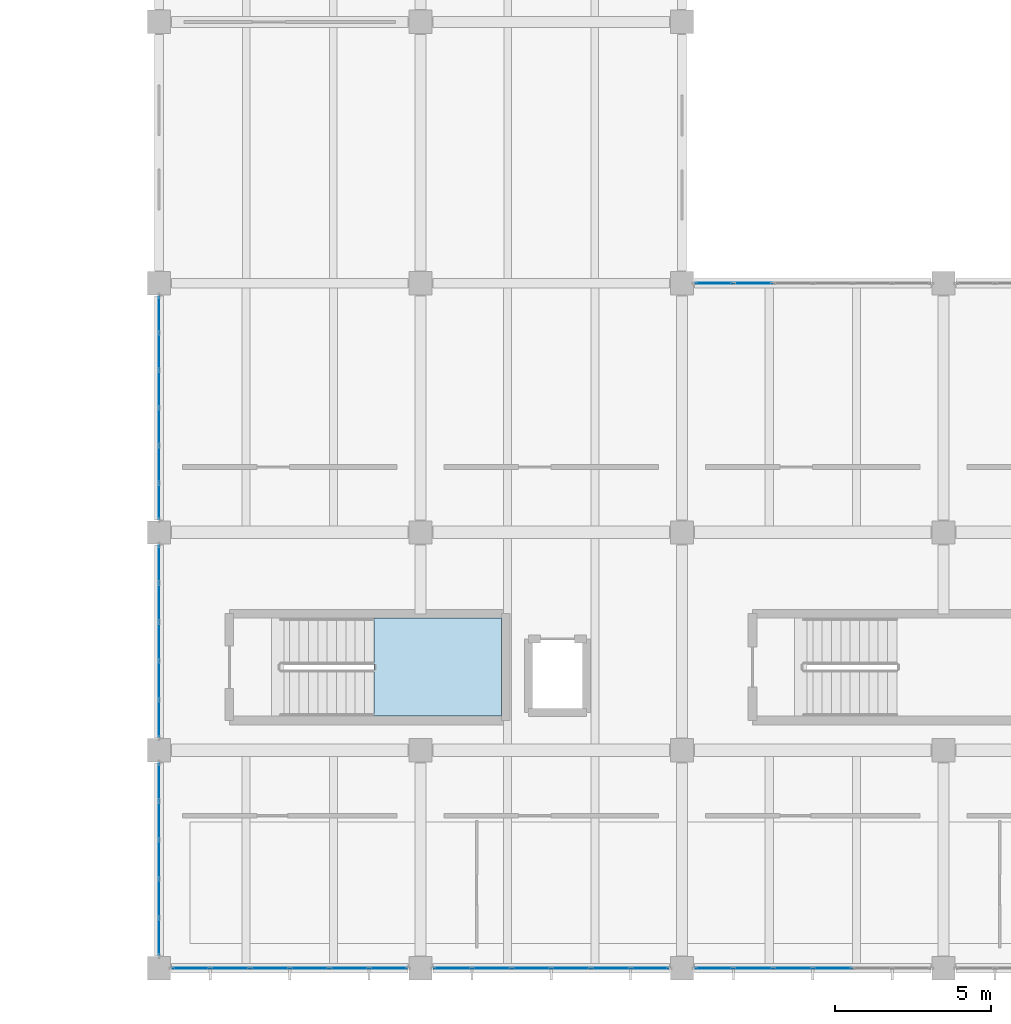
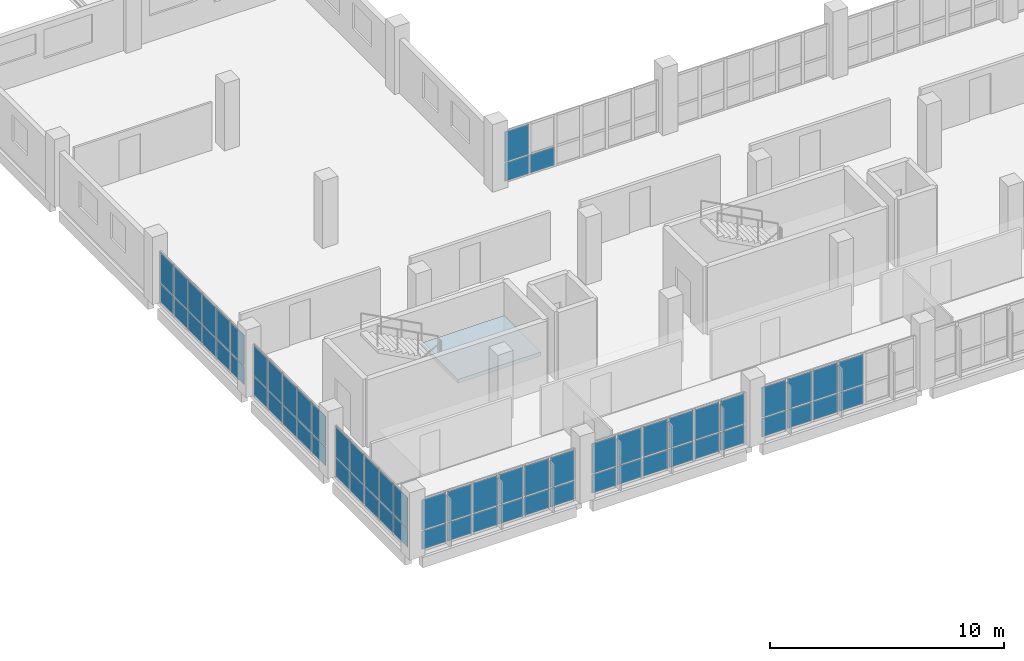
# One storey, part 64 of 95: 67 plates, 1 slab, 8 elements without a shape of their own.
"""IFC4 building model written with IfcOpenShell, lengths in metres."""

from ifc_helpers import new_model, si_unit, direction, frame, origin, origin_2d, place, context, subcontext, project, spatial, polyline, rectangle, outline, extrude, material, layer, layer_set, type_object, element, aggregate, save


model = new_model("IFC4")

# Units and contexts
model_context = context("Model", 3, precision=1e-05, world=origin(), true_north=direction((0.0, 1.0)))
body_context = subcontext(model_context, "Body", "Model", "MODEL_VIEW")
ifc_project = project(units=[si_unit("LENGTHUNIT", "METRE"), si_unit("AREAUNIT", "SQUARE_METRE"), si_unit("VOLUMEUNIT", "CUBIC_METRE"), si_unit("PLANEANGLEUNIT", "RADIAN"), si_unit("MASSUNIT", "GRAM", prefix="KILO"), si_unit("THERMODYNAMICTEMPERATUREUNIT", "KELVIN"), si_unit("POWERUNIT", "WATT")], contexts=[model_context])

# Site, building, storey
site_placement = place(None, origin())
site = spatial("IfcSite", under=ifc_project, at=site_placement, CompositionType="ELEMENT")
building_placement = place(site_placement, origin())
building = spatial("IfcBuilding", under=site, at=building_placement, Name="Mavoryth Pier Ferry Terminal", CompositionType="ELEMENT")
storey_placement = place(building_placement, frame((0.0, 0.0, 9.60009765625)))
storey = spatial("IfcBuildingStorey", under=building, at=storey_placement, Name="L02", CompositionType="ELEMENT", Elevation=9.60009765625)

# Curtain wall, plates
ifc_material_1 = material(Name="Anodised Aluminium and Solar-Control Low-E Glass", Category="aluminium")
ifc_layer_1 = layer(ifc_material_1, 0.239990234375, Name="Anodised Aluminium and Solar-Control Low-E Glass", Category="aluminium")
ifc_layer_set_1 = layer_set([ifc_layer_1], Name="Anodised Aluminium and Solar-Control Low-E Glass - CW-Operations-Mod1200")
curtain_wall_type = type_object("IfcCurtainWallType", Name="CW-Operations-Mod1200", PredefinedType="USERDEFINED", material=ifc_layer_set_1)
curtain_wall_1_placement = place(storey_placement, origin())
curtain_wall_1 = element("IfcCurtainWall", 1, at=curtain_wall_1_placement, inside=storey, type_object=curtain_wall_type, Name="Curtain Wall CW-0222-123", ObjectType="UNITISED CURTAIN WALL", PredefinedType="USERDEFINED")
ifc_material_2 = material(Name="Solar-Control Low-E Laminated Double Glazing", Category="glass")
ifc_layer_2 = layer(ifc_material_2, 0.02392578125, Name="Solar-Control Low-E Laminated Double Glazing", Category="glass")
ifc_layer_set_2 = layer_set([ifc_layer_2], Name="Solar-Control Low-E Laminated Double Glazing - Panel-LowE-DGU-24")
plate_type = type_object("IfcPlateType", Name="Panel-LowE-DGU-24", PredefinedType="CURTAIN_PANEL", material=ifc_layer_set_2)
plate_1_placement = place(storey_placement, frame((43.027587890625, 0.0, 0.059814453125), z_axis=(0.0, 0.0, 1.0), x_axis=(1.0, 0.0, 0.0)))
plate_1 = element("IfcPlate", 2, at=plate_1_placement, type_object=plate_type, Name="CW06 panel 1.1", PredefinedType="CURTAIN_PANEL", context=body_context, shape_type="SweptSolid", body=[
    extrude(rectangle(XDim=1.18505859375, YDim=0.02392578125, at=origin_2d()), origin(), (0.0, 0.0, 1.0), 0.9599609375),
])
plate_2_placement = place(storey_placement, frame((43.027587890625, 0.0, 1.079833984375), z_axis=(0.0, 0.0, 1.0), x_axis=(1.0, 0.0, 0.0)))
plate_2 = element("IfcPlate", 3, at=plate_2_placement, type_object=plate_type, Name="CW06 panel 1.2", PredefinedType="CURTAIN_PANEL", context=body_context, shape_type="SweptSolid", body=[
    extrude(rectangle(XDim=1.18505859375, YDim=0.02392578125, at=origin_2d()), origin(), (0.0, 0.0, 1.0), 1.56494140625),
])
plate_3_placement = place(storey_placement, frame((44.28759765625, 0.0, 0.059814453125), z_axis=(0.0, 0.0, 1.0), x_axis=(1.0, 0.0, 0.0)))
plate_3 = element("IfcPlate", 4, at=plate_3_placement, type_object=plate_type, Name="CW06 panel 2.1", PredefinedType="CURTAIN_PANEL", context=body_context, shape_type="SweptSolid", body=[
    extrude(rectangle(XDim=1.215087890625, YDim=0.02392578125, at=origin_2d()), origin(), (0.0, 0.0, 1.0), 0.9599609375),
])
plate_4_placement = place(storey_placement, frame((44.28759765625, 0.0, 1.079833984375), z_axis=(0.0, 0.0, 1.0), x_axis=(1.0, 0.0, 0.0)))
plate_4 = element("IfcPlate", 5, at=plate_4_placement, type_object=plate_type, Name="CW06 panel 2.2", PredefinedType="CURTAIN_PANEL", context=body_context, shape_type="SweptSolid", body=[
    extrude(rectangle(XDim=1.215087890625, YDim=0.02392578125, at=origin_2d()), origin(), (0.0, 0.0, 1.0), 1.56494140625),
])
plate_5_placement = place(storey_placement, frame((45.5625, 0.0, 0.059814453125), z_axis=(0.0, 0.0, 1.0), x_axis=(1.0, 0.0, 0.0)))
plate_5 = element("IfcPlate", 6, at=plate_5_placement, type_object=plate_type, Name="CW06 panel 3.1", PredefinedType="CURTAIN_PANEL", context=body_context, shape_type="SweptSolid", body=[
    extrude(rectangle(XDim=1.215087890625, YDim=0.02392578125, at=origin_2d()), origin(), (0.0, 0.0, 1.0), 0.9599609375),
])
plate_6_placement = place(storey_placement, frame((45.5625, 0.0, 1.079833984375), z_axis=(0.0, 0.0, 1.0), x_axis=(1.0, 0.0, 0.0)))
plate_6 = element("IfcPlate", 7, at=plate_6_placement, type_object=plate_type, Name="CW06 panel 3.2", PredefinedType="CURTAIN_PANEL", context=body_context, shape_type="SweptSolid", body=[
    extrude(rectangle(XDim=1.215087890625, YDim=0.02392578125, at=origin_2d()), origin(), (0.0, 0.0, 1.0), 1.56494140625),
])
plate_7_placement = place(storey_placement, frame((46.83740234375, 0.0, 0.059814453125), z_axis=(0.0, 0.0, 1.0), x_axis=(1.0, 0.0, 0.0)))
plate_7 = element("IfcPlate", 8, at=plate_7_placement, type_object=plate_type, Name="CW06 panel 4.1", PredefinedType="CURTAIN_PANEL", context=body_context, shape_type="SweptSolid", body=[
    extrude(rectangle(XDim=1.215087890625, YDim=0.02392578125, at=origin_2d()), origin(), (0.0, 0.0, 1.0), 0.9599609375),
])
plate_8_placement = place(storey_placement, frame((46.83740234375, 0.0, 1.079833984375), z_axis=(0.0, 0.0, 1.0), x_axis=(1.0, 0.0, 0.0)))
plate_8 = element("IfcPlate", 9, at=plate_8_placement, type_object=plate_type, Name="CW06 panel 4.2", PredefinedType="CURTAIN_PANEL", context=body_context, shape_type="SweptSolid", body=[
    extrude(rectangle(XDim=1.215087890625, YDim=0.02392578125, at=origin_2d()), origin(), (0.0, 0.0, 1.0), 1.56494140625),
])
plate_9_placement = place(storey_placement, frame((48.112548828125, 0.0, 0.059814453125), z_axis=(0.0, 0.0, 1.0), x_axis=(1.0, 0.0, 0.0)))
plate_9 = element("IfcPlate", 10, at=plate_9_placement, type_object=plate_type, Name="CW06 panel 5.1", PredefinedType="CURTAIN_PANEL", context=body_context, shape_type="SweptSolid", body=[
    extrude(rectangle(XDim=1.215087890625, YDim=0.02392578125, at=origin_2d()), origin(), (0.0, 0.0, 1.0), 0.9599609375),
])
plate_10_placement = place(storey_placement, frame((48.112548828125, 0.0, 1.079833984375), z_axis=(0.0, 0.0, 1.0), x_axis=(1.0, 0.0, 0.0)))
plate_10 = element("IfcPlate", 11, at=plate_10_placement, type_object=plate_type, Name="CW06 panel 5.2", PredefinedType="CURTAIN_PANEL", context=body_context, shape_type="SweptSolid", body=[
    extrude(rectangle(XDim=1.215087890625, YDim=0.02392578125, at=origin_2d()), origin(), (0.0, 0.0, 1.0), 1.56494140625),
])
plate_11_placement = place(storey_placement, frame((49.37255859375, 0.0, 0.059814453125), z_axis=(0.0, 0.0, 1.0), x_axis=(1.0, 0.0, 0.0)))
plate_11 = element("IfcPlate", 12, at=plate_11_placement, type_object=plate_type, Name="CW06 panel 6.1", PredefinedType="CURTAIN_PANEL", context=body_context, shape_type="SweptSolid", body=[
    extrude(rectangle(XDim=1.18505859375, YDim=0.02392578125, at=origin_2d()), origin(), (0.0, 0.0, 1.0), 0.9599609375),
])
plate_12_placement = place(storey_placement, frame((49.37255859375, 0.0, 1.079833984375), z_axis=(0.0, 0.0, 1.0), x_axis=(1.0, 0.0, 0.0)))
plate_12 = element("IfcPlate", 13, at=plate_12_placement, type_object=plate_type, Name="CW06 panel 6.2", PredefinedType="CURTAIN_PANEL", context=body_context, shape_type="SweptSolid", body=[
    extrude(rectangle(XDim=1.18505859375, YDim=0.02392578125, at=origin_2d()), origin(), (0.0, 0.0, 1.0), 1.56494140625),
])
aggregate(curtain_wall_1, [plate_1, plate_2, plate_3, plate_4, plate_5, plate_6, plate_7, plate_8, plate_9, plate_10, plate_11, plate_12])

curtain_wall_2_placement = place(storey_placement, origin())
curtain_wall_2 = element("IfcCurtainWall", 14, at=curtain_wall_2_placement, inside=storey, type_object=curtain_wall_type, Name="Curtain Wall CW-0222-124", ObjectType="UNITISED CURTAIN WALL", PredefinedType="USERDEFINED")
plate_13_placement = place(storey_placement, frame((51.427490234375, 0.0, 0.059814453125), z_axis=(0.0, 0.0, 1.0), x_axis=(1.0, 0.0, 0.0)))
plate_13 = element("IfcPlate", 15, at=plate_13_placement, type_object=plate_type, Name="CW06 panel 1.1", PredefinedType="CURTAIN_PANEL", context=body_context, shape_type="SweptSolid", body=[
    extrude(rectangle(XDim=1.18505859375, YDim=0.02392578125, at=origin_2d()), origin(), (0.0, 0.0, 1.0), 0.9599609375),
])
plate_14_placement = place(storey_placement, frame((51.427490234375, 0.0, 1.079833984375), z_axis=(0.0, 0.0, 1.0), x_axis=(1.0, 0.0, 0.0)))
plate_14 = element("IfcPlate", 16, at=plate_14_placement, type_object=plate_type, Name="CW06 panel 1.2", PredefinedType="CURTAIN_PANEL", context=body_context, shape_type="SweptSolid", body=[
    extrude(rectangle(XDim=1.18505859375, YDim=0.02392578125, at=origin_2d()), origin(), (0.0, 0.0, 1.0), 1.56494140625),
])
plate_15_placement = place(storey_placement, frame((52.6875, 0.0, 0.059814453125), z_axis=(0.0, 0.0, 1.0), x_axis=(1.0, 0.0, 0.0)))
plate_15 = element("IfcPlate", 17, at=plate_15_placement, type_object=plate_type, Name="CW06 panel 2.1", PredefinedType="CURTAIN_PANEL", context=body_context, shape_type="SweptSolid", body=[
    extrude(rectangle(XDim=1.215087890625, YDim=0.02392578125, at=origin_2d()), origin(), (0.0, 0.0, 1.0), 0.9599609375),
])
plate_16_placement = place(storey_placement, frame((52.6875, 0.0, 1.079833984375), z_axis=(0.0, 0.0, 1.0), x_axis=(1.0, 0.0, 0.0)))
plate_16 = element("IfcPlate", 18, at=plate_16_placement, type_object=plate_type, Name="CW06 panel 2.2", PredefinedType="CURTAIN_PANEL", context=body_context, shape_type="SweptSolid", body=[
    extrude(rectangle(XDim=1.215087890625, YDim=0.02392578125, at=origin_2d()), origin(), (0.0, 0.0, 1.0), 1.56494140625),
])
plate_17_placement = place(storey_placement, frame((53.96240234375, 0.0, 0.059814453125), z_axis=(0.0, 0.0, 1.0), x_axis=(1.0, 0.0, 0.0)))
plate_17 = element("IfcPlate", 19, at=plate_17_placement, type_object=plate_type, Name="CW06 panel 3.1", PredefinedType="CURTAIN_PANEL", context=body_context, shape_type="SweptSolid", body=[
    extrude(rectangle(XDim=1.215087890625, YDim=0.02392578125, at=origin_2d()), origin(), (0.0, 0.0, 1.0), 0.9599609375),
])
plate_18_placement = place(storey_placement, frame((53.96240234375, 0.0, 1.079833984375), z_axis=(0.0, 0.0, 1.0), x_axis=(1.0, 0.0, 0.0)))
plate_18 = element("IfcPlate", 20, at=plate_18_placement, type_object=plate_type, Name="CW06 panel 3.2", PredefinedType="CURTAIN_PANEL", context=body_context, shape_type="SweptSolid", body=[
    extrude(rectangle(XDim=1.215087890625, YDim=0.02392578125, at=origin_2d()), origin(), (0.0, 0.0, 1.0), 1.56494140625),
])
plate_19_placement = place(storey_placement, frame((55.237548828125, 0.0, 0.059814453125), z_axis=(0.0, 0.0, 1.0), x_axis=(1.0, 0.0, 0.0)))
plate_19 = element("IfcPlate", 21, at=plate_19_placement, type_object=plate_type, Name="CW06 panel 4.1", PredefinedType="CURTAIN_PANEL", context=body_context, shape_type="SweptSolid", body=[
    extrude(rectangle(XDim=1.215087890625, YDim=0.02392578125, at=origin_2d()), origin(), (0.0, 0.0, 1.0), 0.9599609375),
])
plate_20_placement = place(storey_placement, frame((55.237548828125, 0.0, 1.079833984375), z_axis=(0.0, 0.0, 1.0), x_axis=(1.0, 0.0, 0.0)))
plate_20 = element("IfcPlate", 22, at=plate_20_placement, type_object=plate_type, Name="CW06 panel 4.2", PredefinedType="CURTAIN_PANEL", context=body_context, shape_type="SweptSolid", body=[
    extrude(rectangle(XDim=1.215087890625, YDim=0.02392578125, at=origin_2d()), origin(), (0.0, 0.0, 1.0), 1.56494140625),
])
plate_21_placement = place(storey_placement, frame((56.512451171875, 0.0, 0.059814453125), z_axis=(0.0, 0.0, 1.0), x_axis=(1.0, 0.0, 0.0)))
plate_21 = element("IfcPlate", 23, at=plate_21_placement, type_object=plate_type, Name="CW06 panel 5.1", PredefinedType="CURTAIN_PANEL", context=body_context, shape_type="SweptSolid", body=[
    extrude(rectangle(XDim=1.215087890625, YDim=0.02392578125, at=origin_2d()), origin(), (0.0, 0.0, 1.0), 0.9599609375),
])
plate_22_placement = place(storey_placement, frame((56.512451171875, 0.0, 1.079833984375), z_axis=(0.0, 0.0, 1.0), x_axis=(1.0, 0.0, 0.0)))
plate_22 = element("IfcPlate", 24, at=plate_22_placement, type_object=plate_type, Name="CW06 panel 5.2", PredefinedType="CURTAIN_PANEL", context=body_context, shape_type="SweptSolid", body=[
    extrude(rectangle(XDim=1.215087890625, YDim=0.02392578125, at=origin_2d()), origin(), (0.0, 0.0, 1.0), 1.56494140625),
])
plate_23_placement = place(storey_placement, frame((57.7724609375, 0.0, 0.059814453125), z_axis=(0.0, 0.0, 1.0), x_axis=(1.0, 0.0, 0.0)))
plate_23 = element("IfcPlate", 25, at=plate_23_placement, type_object=plate_type, Name="CW06 panel 6.1", PredefinedType="CURTAIN_PANEL", context=body_context, shape_type="SweptSolid", body=[
    extrude(rectangle(XDim=1.18505859375, YDim=0.02392578125, at=origin_2d()), origin(), (0.0, 0.0, 1.0), 0.9599609375),
])
plate_24_placement = place(storey_placement, frame((57.7724609375, 0.0, 1.079833984375), z_axis=(0.0, 0.0, 1.0), x_axis=(1.0, 0.0, 0.0)))
plate_24 = element("IfcPlate", 26, at=plate_24_placement, type_object=plate_type, Name="CW06 panel 6.2", PredefinedType="CURTAIN_PANEL", context=body_context, shape_type="SweptSolid", body=[
    extrude(rectangle(XDim=1.18505859375, YDim=0.02392578125, at=origin_2d()), origin(), (0.0, 0.0, 1.0), 1.56494140625),
])
aggregate(curtain_wall_2, [plate_13, plate_14, plate_15, plate_16, plate_17, plate_18, plate_19, plate_20, plate_21, plate_22, plate_23, plate_24])

curtain_wall_3_placement = place(storey_placement, origin())
curtain_wall_3 = element("IfcCurtainWall", 27, at=curtain_wall_3_placement, inside=storey, type_object=curtain_wall_type, Name="Curtain Wall CW-0222-125", ObjectType="UNITISED CURTAIN WALL", PredefinedType="USERDEFINED")
plate_25_placement = place(storey_placement, frame((59.827392578125, 0.0, 0.059814453125), z_axis=(0.0, 0.0, 1.0), x_axis=(1.0, 0.0, 0.0)))
plate_25 = element("IfcPlate", 28, at=plate_25_placement, type_object=plate_type, Name="CW06 panel 1.1", PredefinedType="CURTAIN_PANEL", context=body_context, shape_type="SweptSolid", body=[
    extrude(rectangle(XDim=1.18505859375, YDim=0.02392578125, at=origin_2d()), origin(), (0.0, 0.0, 1.0), 0.9599609375),
])
plate_26_placement = place(storey_placement, frame((59.827392578125, 0.0, 1.079833984375), z_axis=(0.0, 0.0, 1.0), x_axis=(1.0, 0.0, 0.0)))
plate_26 = element("IfcPlate", 29, at=plate_26_placement, type_object=plate_type, Name="CW06 panel 1.2", PredefinedType="CURTAIN_PANEL", context=body_context, shape_type="SweptSolid", body=[
    extrude(rectangle(XDim=1.18505859375, YDim=0.02392578125, at=origin_2d()), origin(), (0.0, 0.0, 1.0), 1.56494140625),
])
plate_27_placement = place(storey_placement, frame((61.08740234375, 0.0, 0.059814453125), z_axis=(0.0, 0.0, 1.0), x_axis=(1.0, 0.0, 0.0)))
plate_27 = element("IfcPlate", 30, at=plate_27_placement, type_object=plate_type, Name="CW06 panel 2.1", PredefinedType="CURTAIN_PANEL", context=body_context, shape_type="SweptSolid", body=[
    extrude(rectangle(XDim=1.215087890625, YDim=0.02392578125, at=origin_2d()), origin(), (0.0, 0.0, 1.0), 0.9599609375),
])
plate_28_placement = place(storey_placement, frame((61.08740234375, 0.0, 1.079833984375), z_axis=(0.0, 0.0, 1.0), x_axis=(1.0, 0.0, 0.0)))
plate_28 = element("IfcPlate", 31, at=plate_28_placement, type_object=plate_type, Name="CW06 panel 2.2", PredefinedType="CURTAIN_PANEL", context=body_context, shape_type="SweptSolid", body=[
    extrude(rectangle(XDim=1.215087890625, YDim=0.02392578125, at=origin_2d()), origin(), (0.0, 0.0, 1.0), 1.56494140625),
])
plate_29_placement = place(storey_placement, frame((62.362548828125, 0.0, 0.059814453125), z_axis=(0.0, 0.0, 1.0), x_axis=(1.0, 0.0, 0.0)))
plate_29 = element("IfcPlate", 32, at=plate_29_placement, type_object=plate_type, Name="CW06 panel 3.1", PredefinedType="CURTAIN_PANEL", context=body_context, shape_type="SweptSolid", body=[
    extrude(rectangle(XDim=1.215087890625, YDim=0.02392578125, at=origin_2d()), origin(), (0.0, 0.0, 1.0), 0.9599609375),
])
plate_30_placement = place(storey_placement, frame((62.362548828125, 0.0, 1.079833984375), z_axis=(0.0, 0.0, 1.0), x_axis=(1.0, 0.0, 0.0)))
plate_30 = element("IfcPlate", 33, at=plate_30_placement, type_object=plate_type, Name="CW06 panel 3.2", PredefinedType="CURTAIN_PANEL", context=body_context, shape_type="SweptSolid", body=[
    extrude(rectangle(XDim=1.215087890625, YDim=0.02392578125, at=origin_2d()), origin(), (0.0, 0.0, 1.0), 1.56494140625),
])
plate_31_placement = place(storey_placement, frame((63.637451171875, 0.0, 0.059814453125), z_axis=(0.0, 0.0, 1.0), x_axis=(1.0, 0.0, 0.0)))
plate_31 = element("IfcPlate", 34, at=plate_31_placement, type_object=plate_type, Name="CW06 panel 4.1", PredefinedType="CURTAIN_PANEL", context=body_context, shape_type="SweptSolid", body=[
    extrude(rectangle(XDim=1.215087890625, YDim=0.02392578125, at=origin_2d()), origin(), (0.0, 0.0, 1.0), 0.9599609375),
])
plate_32_placement = place(storey_placement, frame((63.637451171875, 0.0, 1.079833984375), z_axis=(0.0, 0.0, 1.0), x_axis=(1.0, 0.0, 0.0)))
plate_32 = element("IfcPlate", 35, at=plate_32_placement, type_object=plate_type, Name="CW06 panel 4.2", PredefinedType="CURTAIN_PANEL", context=body_context, shape_type="SweptSolid", body=[
    extrude(rectangle(XDim=1.215087890625, YDim=0.02392578125, at=origin_2d()), origin(), (0.0, 0.0, 1.0), 1.56494140625),
])
aggregate(curtain_wall_3, [plate_25, plate_26, plate_27, plate_28, plate_29, plate_30, plate_31, plate_32])

curtain_wall_4_placement = place(storey_placement, origin())
curtain_wall_4 = element("IfcCurtainWall", 36, at=curtain_wall_4_placement, inside=storey, type_object=curtain_wall_type, Name="Curtain Wall CW-0222-126", ObjectType="UNITISED CURTAIN WALL", PredefinedType="USERDEFINED")
plate_33_placement = place(storey_placement, frame((61.08740234375, 22.0, 0.059814453125), z_axis=(0.0, 0.0, 1.0), x_axis=(-1.0, 0.0, 0.0)))
plate_33 = element("IfcPlate", 37, at=plate_33_placement, type_object=plate_type, Name="CW06 panel 5.1", PredefinedType="CURTAIN_PANEL", context=body_context, shape_type="SweptSolid", body=[
    extrude(rectangle(XDim=1.215087890625, YDim=0.02392578125, at=origin_2d()), origin(), (0.0, 0.0, 1.0), 0.9599609375),
])
plate_34_placement = place(storey_placement, frame((59.827392578125, 22.0, 0.059814453125), z_axis=(0.0, 0.0, 1.0), x_axis=(-1.0, 0.0, 0.0)))
plate_34 = element("IfcPlate", 38, at=plate_34_placement, type_object=plate_type, Name="CW06 panel 6.1", PredefinedType="CURTAIN_PANEL", context=body_context, shape_type="SweptSolid", body=[
    extrude(rectangle(XDim=1.18505859375, YDim=0.02392578125, at=origin_2d()), origin(), (0.0, 0.0, 1.0), 0.9599609375),
])
plate_35_placement = place(storey_placement, frame((59.827392578125, 22.0, 1.079833984375), z_axis=(0.0, 0.0, 1.0), x_axis=(-1.0, 0.0, 0.0)))
plate_35 = element("IfcPlate", 39, at=plate_35_placement, type_object=plate_type, Name="CW06 panel 6.2", PredefinedType="CURTAIN_PANEL", context=body_context, shape_type="SweptSolid", body=[
    extrude(rectangle(XDim=1.18505859375, YDim=0.02392578125, at=origin_2d()), origin(), (0.0, 0.0, 1.0), 1.56494140625),
])
aggregate(curtain_wall_4, [plate_33, plate_34, plate_35])

curtain_wall_5_placement = place(storey_placement, origin())
curtain_wall_5 = element("IfcCurtainWall", 40, at=curtain_wall_5_placement, inside=storey, type_object=curtain_wall_type, Name="Curtain Wall CW-0222-133", ObjectType="UNITISED CURTAIN WALL", PredefinedType="USERDEFINED")
plate_36_placement = place(storey_placement, frame((42.0, 5.985107421875, 0.059814453125), z_axis=(0.0, 0.0, 1.0), x_axis=(0.0, -1.0, 0.0)))
plate_36 = element("IfcPlate", 41, at=plate_36_placement, type_object=plate_type, Name="CW06 panel 1.1", PredefinedType="CURTAIN_PANEL", context=body_context, shape_type="SweptSolid", body=[
    extrude(rectangle(XDim=1.159912109375, YDim=0.02392578125, at=origin_2d()), origin(), (0.0, 0.0, 1.0), 0.9599609375),
])
plate_37_placement = place(storey_placement, frame((42.0, 5.985107421875, 1.079833984375), z_axis=(0.0, 0.0, 1.0), x_axis=(0.0, -1.0, 0.0)))
plate_37 = element("IfcPlate", 42, at=plate_37_placement, type_object=plate_type, Name="CW06 panel 1.2", PredefinedType="CURTAIN_PANEL", context=body_context, shape_type="SweptSolid", body=[
    extrude(rectangle(XDim=1.159912109375, YDim=0.02392578125, at=origin_2d()), origin(), (0.0, 0.0, 1.0), 1.56494140625),
])
plate_38_placement = place(storey_placement, frame((42.0, 4.75, 0.059814453125), z_axis=(0.0, 0.0, 1.0), x_axis=(0.0, -1.0, 0.0)))
plate_38 = element("IfcPlate", 43, at=plate_38_placement, type_object=plate_type, Name="CW06 panel 2.1", PredefinedType="CURTAIN_PANEL", context=body_context, shape_type="SweptSolid", body=[
    extrude(rectangle(XDim=1.18994140625, YDim=0.02392578125, at=origin_2d()), origin(), (0.0, 0.0, 1.0), 0.9599609375),
])
plate_39_placement = place(storey_placement, frame((42.0, 4.75, 1.079833984375), z_axis=(0.0, 0.0, 1.0), x_axis=(0.0, -1.0, 0.0)))
plate_39 = element("IfcPlate", 44, at=plate_39_placement, type_object=plate_type, Name="CW06 panel 2.2", PredefinedType="CURTAIN_PANEL", context=body_context, shape_type="SweptSolid", body=[
    extrude(rectangle(XDim=1.18994140625, YDim=0.02392578125, at=origin_2d()), origin(), (0.0, 0.0, 1.0), 1.56494140625),
])
plate_40_placement = place(storey_placement, frame((42.0, 3.5, 0.059814453125), z_axis=(0.0, 0.0, 1.0), x_axis=(0.0, -1.0, 0.0)))
plate_40 = element("IfcPlate", 45, at=plate_40_placement, type_object=plate_type, Name="CW06 panel 3.1", PredefinedType="CURTAIN_PANEL", context=body_context, shape_type="SweptSolid", body=[
    extrude(rectangle(XDim=1.18994140625, YDim=0.02392578125, at=origin_2d()), origin(), (0.0, 0.0, 1.0), 0.9599609375),
])
plate_41_placement = place(storey_placement, frame((42.0, 3.5, 1.079833984375), z_axis=(0.0, 0.0, 1.0), x_axis=(0.0, -1.0, 0.0)))
plate_41 = element("IfcPlate", 46, at=plate_41_placement, type_object=plate_type, Name="CW06 panel 3.2", PredefinedType="CURTAIN_PANEL", context=body_context, shape_type="SweptSolid", body=[
    extrude(rectangle(XDim=1.18994140625, YDim=0.02392578125, at=origin_2d()), origin(), (0.0, 0.0, 1.0), 1.56494140625),
])
plate_42_placement = place(storey_placement, frame((42.0, 2.25, 0.059814453125), z_axis=(0.0, 0.0, 1.0), x_axis=(0.0, -1.0, 0.0)))
plate_42 = element("IfcPlate", 47, at=plate_42_placement, type_object=plate_type, Name="CW06 panel 4.1", PredefinedType="CURTAIN_PANEL", context=body_context, shape_type="SweptSolid", body=[
    extrude(rectangle(XDim=1.18994140625, YDim=0.02392578125, at=origin_2d()), origin(), (0.0, 0.0, 1.0), 0.9599609375),
])
plate_43_placement = place(storey_placement, frame((42.0, 2.25, 1.079833984375), z_axis=(0.0, 0.0, 1.0), x_axis=(0.0, -1.0, 0.0)))
plate_43 = element("IfcPlate", 48, at=plate_43_placement, type_object=plate_type, Name="CW06 panel 4.2", PredefinedType="CURTAIN_PANEL", context=body_context, shape_type="SweptSolid", body=[
    extrude(rectangle(XDim=1.18994140625, YDim=0.02392578125, at=origin_2d()), origin(), (0.0, 0.0, 1.0), 1.56494140625),
])
plate_44_placement = place(storey_placement, frame((42.0, 1.014892578125, 0.059814453125), z_axis=(0.0, 0.0, 1.0), x_axis=(0.0, -1.0, 0.0)))
plate_44 = element("IfcPlate", 49, at=plate_44_placement, type_object=plate_type, Name="CW06 panel 5.1", PredefinedType="CURTAIN_PANEL", context=body_context, shape_type="SweptSolid", body=[
    extrude(rectangle(XDim=1.159912109375, YDim=0.02392578125, at=origin_2d()), origin(), (0.0, 0.0, 1.0), 0.9599609375),
])
plate_45_placement = place(storey_placement, frame((42.0, 1.014892578125, 1.079833984375), z_axis=(0.0, 0.0, 1.0), x_axis=(0.0, -1.0, 0.0)))
plate_45 = element("IfcPlate", 50, at=plate_45_placement, type_object=plate_type, Name="CW06 panel 5.2", PredefinedType="CURTAIN_PANEL", context=body_context, shape_type="SweptSolid", body=[
    extrude(rectangle(XDim=1.159912109375, YDim=0.02392578125, at=origin_2d()), origin(), (0.0, 0.0, 1.0), 1.56494140625),
])
aggregate(curtain_wall_5, [plate_36, plate_37, plate_38, plate_39, plate_40, plate_41, plate_42, plate_43, plate_44, plate_45])

curtain_wall_6_placement = place(storey_placement, origin())
curtain_wall_6 = element("IfcCurtainWall", 51, at=curtain_wall_6_placement, inside=storey, type_object=curtain_wall_type, Name="Curtain Wall CW-0222-134", ObjectType="UNITISED CURTAIN WALL", PredefinedType="USERDEFINED")
plate_46_placement = place(storey_placement, frame((42.0, 12.985107421875, 0.059814453125), z_axis=(0.0, 0.0, 1.0), x_axis=(0.0, -1.0, 0.0)))
plate_46 = element("IfcPlate", 52, at=plate_46_placement, type_object=plate_type, Name="CW06 panel 1.1", PredefinedType="CURTAIN_PANEL", context=body_context, shape_type="SweptSolid", body=[
    extrude(rectangle(XDim=1.159912109375, YDim=0.02392578125, at=origin_2d()), origin(), (0.0, 0.0, 1.0), 0.9599609375),
])
plate_47_placement = place(storey_placement, frame((42.0, 12.985107421875, 1.079833984375), z_axis=(0.0, 0.0, 1.0), x_axis=(0.0, -1.0, 0.0)))
plate_47 = element("IfcPlate", 53, at=plate_47_placement, type_object=plate_type, Name="CW06 panel 1.2", PredefinedType="CURTAIN_PANEL", context=body_context, shape_type="SweptSolid", body=[
    extrude(rectangle(XDim=1.159912109375, YDim=0.02392578125, at=origin_2d()), origin(), (0.0, 0.0, 1.0), 1.56494140625),
])
plate_48_placement = place(storey_placement, frame((42.0, 11.75, 0.059814453125), z_axis=(0.0, 0.0, 1.0), x_axis=(0.0, -1.0, 0.0)))
plate_48 = element("IfcPlate", 54, at=plate_48_placement, type_object=plate_type, Name="CW06 panel 2.1", PredefinedType="CURTAIN_PANEL", context=body_context, shape_type="SweptSolid", body=[
    extrude(rectangle(XDim=1.18994140625, YDim=0.02392578125, at=origin_2d()), origin(), (0.0, 0.0, 1.0), 0.9599609375),
])
plate_49_placement = place(storey_placement, frame((42.0, 11.75, 1.079833984375), z_axis=(0.0, 0.0, 1.0), x_axis=(0.0, -1.0, 0.0)))
plate_49 = element("IfcPlate", 55, at=plate_49_placement, type_object=plate_type, Name="CW06 panel 2.2", PredefinedType="CURTAIN_PANEL", context=body_context, shape_type="SweptSolid", body=[
    extrude(rectangle(XDim=1.18994140625, YDim=0.02392578125, at=origin_2d()), origin(), (0.0, 0.0, 1.0), 1.56494140625),
])
plate_50_placement = place(storey_placement, frame((42.0, 10.5, 0.059814453125), z_axis=(0.0, 0.0, 1.0), x_axis=(0.0, -1.0, 0.0)))
plate_50 = element("IfcPlate", 56, at=plate_50_placement, type_object=plate_type, Name="CW06 panel 3.1", PredefinedType="CURTAIN_PANEL", context=body_context, shape_type="SweptSolid", body=[
    extrude(rectangle(XDim=1.18994140625, YDim=0.02392578125, at=origin_2d()), origin(), (0.0, 0.0, 1.0), 0.9599609375),
])
plate_51_placement = place(storey_placement, frame((42.0, 10.5, 1.079833984375), z_axis=(0.0, 0.0, 1.0), x_axis=(0.0, -1.0, 0.0)))
plate_51 = element("IfcPlate", 57, at=plate_51_placement, type_object=plate_type, Name="CW06 panel 3.2", PredefinedType="CURTAIN_PANEL", context=body_context, shape_type="SweptSolid", body=[
    extrude(rectangle(XDim=1.18994140625, YDim=0.02392578125, at=origin_2d()), origin(), (0.0, 0.0, 1.0), 1.56494140625),
])
plate_52_placement = place(storey_placement, frame((42.0, 9.25, 0.059814453125), z_axis=(0.0, 0.0, 1.0), x_axis=(0.0, -1.0, 0.0)))
plate_52 = element("IfcPlate", 58, at=plate_52_placement, type_object=plate_type, Name="CW06 panel 4.1", PredefinedType="CURTAIN_PANEL", context=body_context, shape_type="SweptSolid", body=[
    extrude(rectangle(XDim=1.18994140625, YDim=0.02392578125, at=origin_2d()), origin(), (0.0, 0.0, 1.0), 0.9599609375),
])
plate_53_placement = place(storey_placement, frame((42.0, 9.25, 1.079833984375), z_axis=(0.0, 0.0, 1.0), x_axis=(0.0, -1.0, 0.0)))
plate_53 = element("IfcPlate", 59, at=plate_53_placement, type_object=plate_type, Name="CW06 panel 4.2", PredefinedType="CURTAIN_PANEL", context=body_context, shape_type="SweptSolid", body=[
    extrude(rectangle(XDim=1.18994140625, YDim=0.02392578125, at=origin_2d()), origin(), (0.0, 0.0, 1.0), 1.56494140625),
])
plate_54_placement = place(storey_placement, frame((42.0, 8.014892578125, 0.059814453125), z_axis=(0.0, 0.0, 1.0), x_axis=(0.0, -1.0, 0.0)))
plate_54 = element("IfcPlate", 60, at=plate_54_placement, type_object=plate_type, Name="CW06 panel 5.1", PredefinedType="CURTAIN_PANEL", context=body_context, shape_type="SweptSolid", body=[
    extrude(rectangle(XDim=1.159912109375, YDim=0.02392578125, at=origin_2d()), origin(), (0.0, 0.0, 1.0), 0.9599609375),
])
plate_55_placement = place(storey_placement, frame((42.0, 8.014892578125, 1.079833984375), z_axis=(0.0, 0.0, 1.0), x_axis=(0.0, -1.0, 0.0)))
plate_55 = element("IfcPlate", 61, at=plate_55_placement, type_object=plate_type, Name="CW06 panel 5.2", PredefinedType="CURTAIN_PANEL", context=body_context, shape_type="SweptSolid", body=[
    extrude(rectangle(XDim=1.159912109375, YDim=0.02392578125, at=origin_2d()), origin(), (0.0, 0.0, 1.0), 1.56494140625),
])
aggregate(curtain_wall_6, [plate_46, plate_47, plate_48, plate_49, plate_50, plate_51, plate_52, plate_53, plate_54, plate_55])

curtain_wall_7_placement = place(storey_placement, origin())
curtain_wall_7 = element("IfcCurtainWall", 62, at=curtain_wall_7_placement, inside=storey, type_object=curtain_wall_type, Name="Curtain Wall CW-0222-135", ObjectType="UNITISED CURTAIN WALL", PredefinedType="USERDEFINED")
plate_56_placement = place(storey_placement, frame((42.0, 21.005859375, 0.059814453125), z_axis=(0.0, 0.0, 1.0), x_axis=(0.0, -1.0, 0.0)))
plate_56 = element("IfcPlate", 63, at=plate_56_placement, type_object=plate_type, Name="CW06 panel 1.1", PredefinedType="CURTAIN_PANEL", context=body_context, shape_type="SweptSolid", body=[
    extrude(rectangle(XDim=1.118408203125, YDim=0.02392578125, at=origin_2d()), origin(), (0.0, 0.0, 1.0), 0.9599609375),
])
plate_57_placement = place(storey_placement, frame((42.0, 21.005859375, 1.079833984375), z_axis=(0.0, 0.0, 1.0), x_axis=(0.0, -1.0, 0.0)))
plate_57 = element("IfcPlate", 64, at=plate_57_placement, type_object=plate_type, Name="CW06 panel 1.2", PredefinedType="CURTAIN_PANEL", context=body_context, shape_type="SweptSolid", body=[
    extrude(rectangle(XDim=1.118408203125, YDim=0.02392578125, at=origin_2d()), origin(), (0.0, 0.0, 1.0), 1.56494140625),
])
plate_58_placement = place(storey_placement, frame((42.0, 19.8125, 0.059814453125), z_axis=(0.0, 0.0, 1.0), x_axis=(0.0, -1.0, 0.0)))
plate_58 = element("IfcPlate", 65, at=plate_58_placement, type_object=plate_type, Name="CW06 panel 2.1", PredefinedType="CURTAIN_PANEL", context=body_context, shape_type="SweptSolid", body=[
    extrude(rectangle(XDim=1.1484375, YDim=0.02392578125, at=origin_2d()), origin(), (0.0, 0.0, 1.0), 0.9599609375),
])
plate_59_placement = place(storey_placement, frame((42.0, 19.8125, 1.079833984375), z_axis=(0.0, 0.0, 1.0), x_axis=(0.0, -1.0, 0.0)))
plate_59 = element("IfcPlate", 66, at=plate_59_placement, type_object=plate_type, Name="CW06 panel 2.2", PredefinedType="CURTAIN_PANEL", context=body_context, shape_type="SweptSolid", body=[
    extrude(rectangle(XDim=1.1484375, YDim=0.02392578125, at=origin_2d()), origin(), (0.0, 0.0, 1.0), 1.56494140625),
])
plate_60_placement = place(storey_placement, frame((42.0, 18.604248046875, 0.059814453125), z_axis=(0.0, 0.0, 1.0), x_axis=(0.0, -1.0, 0.0)))
plate_60 = element("IfcPlate", 67, at=plate_60_placement, type_object=plate_type, Name="CW06 panel 3.1", PredefinedType="CURTAIN_PANEL", context=body_context, shape_type="SweptSolid", body=[
    extrude(rectangle(XDim=1.1484375, YDim=0.02392578125, at=origin_2d()), origin(), (0.0, 0.0, 1.0), 0.9599609375),
])
plate_61_placement = place(storey_placement, frame((42.0, 18.604248046875, 1.079833984375), z_axis=(0.0, 0.0, 1.0), x_axis=(0.0, -1.0, 0.0)))
plate_61 = element("IfcPlate", 68, at=plate_61_placement, type_object=plate_type, Name="CW06 panel 3.2", PredefinedType="CURTAIN_PANEL", context=body_context, shape_type="SweptSolid", body=[
    extrude(rectangle(XDim=1.1484375, YDim=0.02392578125, at=origin_2d()), origin(), (0.0, 0.0, 1.0), 1.56494140625),
])
plate_62_placement = place(storey_placement, frame((42.0, 17.395751953125, 0.059814453125), z_axis=(0.0, 0.0, 1.0), x_axis=(0.0, -1.0, 0.0)))
plate_62 = element("IfcPlate", 69, at=plate_62_placement, type_object=plate_type, Name="CW06 panel 4.1", PredefinedType="CURTAIN_PANEL", context=body_context, shape_type="SweptSolid", body=[
    extrude(rectangle(XDim=1.1484375, YDim=0.02392578125, at=origin_2d()), origin(), (0.0, 0.0, 1.0), 0.9599609375),
])
plate_63_placement = place(storey_placement, frame((42.0, 17.395751953125, 1.079833984375), z_axis=(0.0, 0.0, 1.0), x_axis=(0.0, -1.0, 0.0)))
plate_63 = element("IfcPlate", 70, at=plate_63_placement, type_object=plate_type, Name="CW06 panel 4.2", PredefinedType="CURTAIN_PANEL", context=body_context, shape_type="SweptSolid", body=[
    extrude(rectangle(XDim=1.1484375, YDim=0.02392578125, at=origin_2d()), origin(), (0.0, 0.0, 1.0), 1.56494140625),
])
plate_64_placement = place(storey_placement, frame((42.0, 16.1875, 0.059814453125), z_axis=(0.0, 0.0, 1.0), x_axis=(0.0, -1.0, 0.0)))
plate_64 = element("IfcPlate", 71, at=plate_64_placement, type_object=plate_type, Name="CW06 panel 5.1", PredefinedType="CURTAIN_PANEL", context=body_context, shape_type="SweptSolid", body=[
    extrude(rectangle(XDim=1.1484375, YDim=0.02392578125, at=origin_2d()), origin(), (0.0, 0.0, 1.0), 0.9599609375),
])
plate_65_placement = place(storey_placement, frame((42.0, 16.1875, 1.079833984375), z_axis=(0.0, 0.0, 1.0), x_axis=(0.0, -1.0, 0.0)))
plate_65 = element("IfcPlate", 72, at=plate_65_placement, type_object=plate_type, Name="CW06 panel 5.2", PredefinedType="CURTAIN_PANEL", context=body_context, shape_type="SweptSolid", body=[
    extrude(rectangle(XDim=1.1484375, YDim=0.02392578125, at=origin_2d()), origin(), (0.0, 0.0, 1.0), 1.56494140625),
])
plate_66_placement = place(storey_placement, frame((42.0, 14.994140625, 0.059814453125), z_axis=(0.0, 0.0, 1.0), x_axis=(0.0, -1.0, 0.0)))
plate_66 = element("IfcPlate", 73, at=plate_66_placement, type_object=plate_type, Name="CW06 panel 6.1", PredefinedType="CURTAIN_PANEL", context=body_context, shape_type="SweptSolid", body=[
    extrude(rectangle(XDim=1.118408203125, YDim=0.02392578125, at=origin_2d()), origin(), (0.0, 0.0, 1.0), 0.9599609375),
])
plate_67_placement = place(storey_placement, frame((42.0, 14.994140625, 1.079833984375), z_axis=(0.0, 0.0, 1.0), x_axis=(0.0, -1.0, 0.0)))
plate_67 = element("IfcPlate", 74, at=plate_67_placement, type_object=plate_type, Name="CW06 panel 6.2", PredefinedType="CURTAIN_PANEL", context=body_context, shape_type="SweptSolid", body=[
    extrude(rectangle(XDim=1.118408203125, YDim=0.02392578125, at=origin_2d()), origin(), (0.0, 0.0, 1.0), 1.56494140625),
])
aggregate(curtain_wall_7, [plate_56, plate_57, plate_58, plate_59, plate_60, plate_61, plate_62, plate_63, plate_64, plate_65, plate_66, plate_67])

# Stair, slab
ifc_material_3 = material(Name="Concrete C35/45", Category="concrete")
stair_type = type_object("IfcStairType", Name="Stair-Core-W1500", PredefinedType="TWO_STRAIGHT_RUN_STAIR", material=ifc_material_3)
stair_placement = place(storey_placement, origin())
stair = element("IfcStair", 75, at=stair_placement, inside=storey, type_object=stair_type, Name="L02 Core C5A Stair", PredefinedType="TWO_STRAIGHT_RUN_STAIR")
ifc_layer_3 = layer(ifc_material_3, 0.199951171875, Name="Concrete C35/45", Category="concrete")
ifc_layer_set_3 = layer_set([ifc_layer_3], Name="Concrete C35/45 - Slab-Landing-RC-200")
slab_type = type_object("IfcSlabType", Name="Slab-Landing-RC-200", PredefinedType="LANDING", material=ifc_layer_set_3)
slab_placement = place(storey_placement, frame((0.0, 0.0, 1.559814453125)))
slab = element("IfcSlab", 76, at=slab_placement, type_object=slab_type, Name="ST11 landing 1", PredefinedType="LANDING", context=body_context, shape_type="SweptSolid", body=[
    extrude(outline(polyline([(48.89990234375, 8.10009765625), (53.0, 8.10009765625), (53.0, 11.25), (48.89990234375, 11.25), (48.89990234375, 8.10009765625)])), origin(), (0.0, 0.0, 1.0), 0.2001953125),
])
aggregate(stair, [slab])

save(model, "model.ifc")
